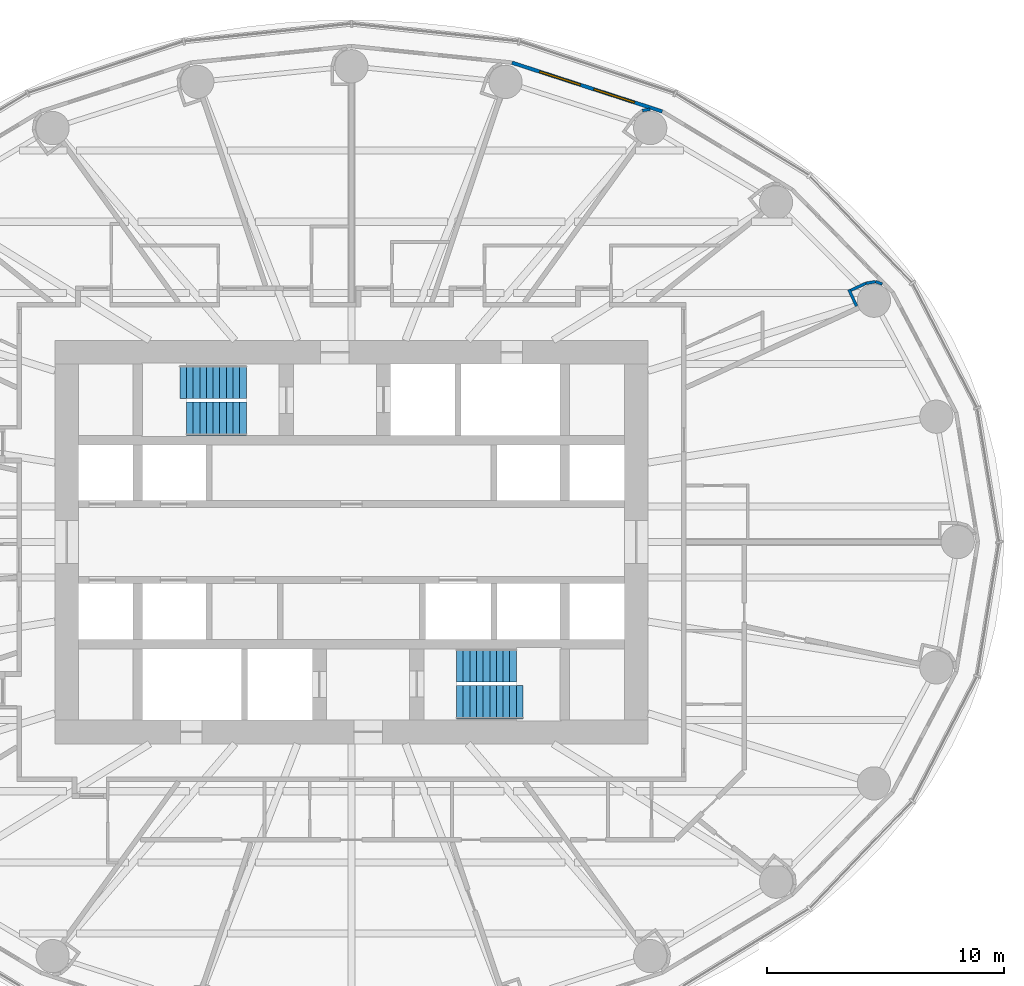
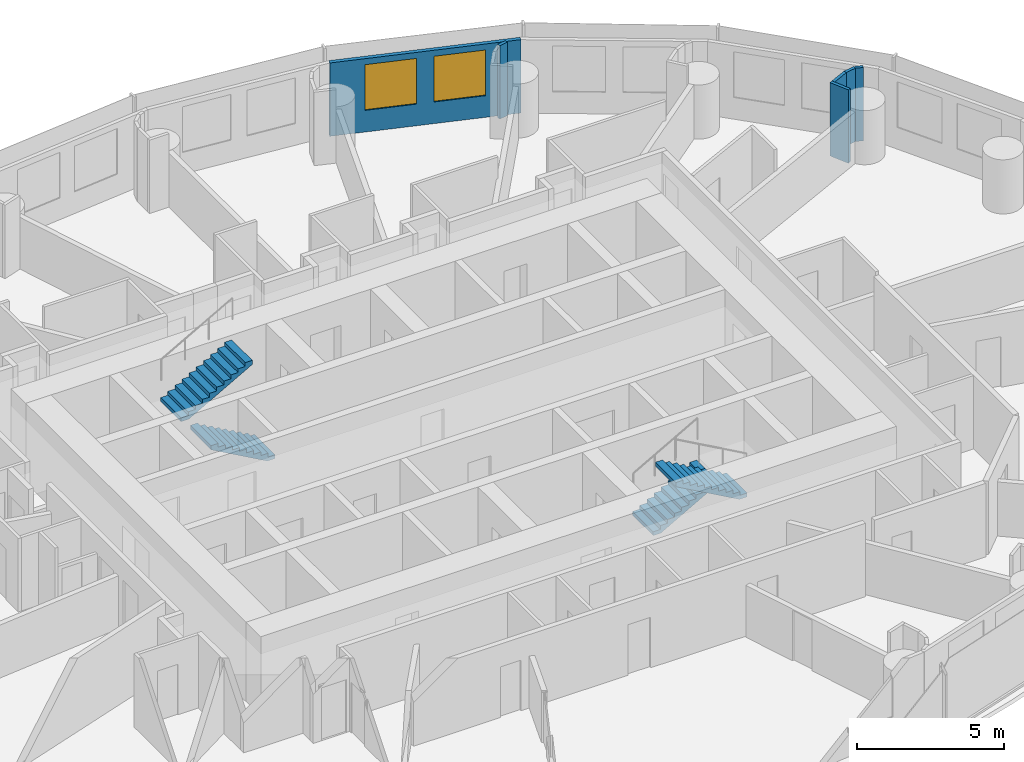
# One storey, part 13 of 14: 6 walls, 4 stair flights, 2 windows, 2 openings, 2 elements without a shape of their own.
"""IFC4 building model written with IfcOpenShell, lengths in metres."""

from ifc_helpers import new_model, si_unit, direction, frame, frame_2d, origin, place, context, subcontext, project, spatial, polyline, rectangle, outline, extrude, material, layer, layer_set, type_object, element, fill, aggregate, save


model = new_model("IFC4")

# Units and contexts
model_context = context("Model", 3, precision=1e-05, world=origin(), true_north=direction((0.0, 1.0)))
body_context = subcontext(model_context, "Body", "Model", "MODEL_VIEW")
ifc_project = project(units=[si_unit("LENGTHUNIT", "METRE"), si_unit("AREAUNIT", "SQUARE_METRE"), si_unit("VOLUMEUNIT", "CUBIC_METRE"), si_unit("PLANEANGLEUNIT", "RADIAN"), si_unit("MASSUNIT", "GRAM", prefix="KILO")], contexts=[model_context])

# Site, building, storey
site_placement = place(None, origin())
site = spatial("IfcSite", under=ifc_project, at=site_placement, CompositionType="ELEMENT")
building_placement = place(site_placement, origin())
building = spatial("IfcBuilding", under=site, at=building_placement, Name="Hankou Lantern Tower", CompositionType="ELEMENT")
storey_placement = place(building_placement, frame((0.0, 0.0, 90.300048828125)))
storey = spatial("IfcBuildingStorey", under=building, at=storey_placement, Name="L23", CompositionType="ELEMENT", Elevation=90.300048828125)

# Wall, openings, windows
ifc_material_1 = material(Name="Aluminium spandrel panel on steel studs", Category="steel")
ifc_layer_1 = layer(ifc_material_1, 0.14990234375)
ifc_layer_set_1 = layer_set([ifc_layer_1], Name="Aluminium spandrel panel on steel studs")
wall_type_1 = type_object("IfcWallType", Name="EW1 INNER SKIN WALL 150", PredefinedType="ELEMENTEDWALL", material=ifc_layer_set_1)
wall_1_placement = place(storey_placement, frame((13.096435546875, 18.14697265625, 0.0), z_axis=(0.0, 0.0, 1.0), x_axis=(-0.951137534625, 0.308767534285, 0.0)))
wall_1 = element("IfcWall", 1, at=wall_1_placement, inside=storey, type_object=wall_type_1, Name="Inner skin R05-R06 L23", PredefinedType="ELEMENTEDWALL", context=body_context, shape_type="SweptSolid", body=[
    extrude(rectangle(XDim=6.6552734375, YDim=0.14990234375, at=frame_2d((3.32763671875, 0.0))), origin(), (0.0, 0.0, 1.0), 3.050048828125),
])
opening_1_placement = place(wall_1_placement, frame((1.2275390625, 0.0, 0.89990234375)))
opening_1 = element("IfcOpeningElement", 2, at=opening_1_placement, cuts=wall_1, Name="Opening W1", PredefinedType="OPENING", context=body_context, shape_type="SweptSolid", body=[
    extrude(rectangle(XDim=1.800048828125, YDim=1.89990234375, at=frame_2d((0.89990234375, 0.949951171875))), frame((0.0, 0.0849609375, 0.0), z_axis=(0.0, -1.0, 0.0), x_axis=(1.0, 0.0, 0.0)), (0.0, 0.0, 1.0), 0.169921875),
])
opening_2_placement = place(wall_1_placement, frame((3.627685546875, 0.0, 0.89990234375)))
opening_2 = element("IfcOpeningElement", 3, at=opening_2_placement, cuts=wall_1, Name="Opening W1", PredefinedType="OPENING", context=body_context, shape_type="SweptSolid", body=[
    extrude(rectangle(XDim=1.800048828125, YDim=1.89990234375, at=frame_2d((0.89990234375, 0.949951171875))), frame((0.0, 0.0849609375, 0.0), z_axis=(0.0, -1.0, 0.0), x_axis=(1.0, 0.0, 0.0)), (0.0, 0.0, 1.0), 0.169921875),
])
ifc_material_2 = material(Name="Aluminium framed double glazed window", Category="aluminium")
window_type = type_object("IfcWindowType", Name="W1 GUEST ROOM WINDOW 1800X1900", PartitioningType="DOUBLE_PANEL_VERTICAL", PredefinedType="WINDOW", material=ifc_material_2)
window_1_placement = place(opening_1_placement, origin())
window_1 = element("IfcWindow", 4, at=window_1_placement, inside=storey, type_object=window_type, Name="Window R05.1 L23", OverallHeight=1.89990234375, OverallWidth=1.800048828125, PartitioningType="SINGLE_PANEL", PredefinedType="WINDOW", context=body_context, shape_type="SweptSolid", body=[
    extrude(rectangle(XDim=1.800048828125, YDim=1.89990234375, at=frame_2d((0.89990234375, 0.949951171875))), frame((0.0, 0.030029296875, 0.0), z_axis=(0.0, -1.0, 0.0), x_axis=(1.0, 0.0, 0.0)), (0.0, 0.0, 1.0), 0.06005859375),
])
fill(opening_1, window_1)
window_2_placement = place(opening_2_placement, origin())
window_2 = element("IfcWindow", 5, at=window_2_placement, inside=storey, type_object=window_type, Name="Window R05.2 L23", OverallHeight=1.89990234375, OverallWidth=1.800048828125, PartitioningType="SINGLE_PANEL", PredefinedType="WINDOW", context=body_context, shape_type="SweptSolid", body=[
    extrude(rectangle(XDim=1.800048828125, YDim=1.89990234375, at=frame_2d((0.89990234375, 0.949951171875))), frame((0.0, 0.030029296875, 0.0), z_axis=(0.0, -1.0, 0.0), x_axis=(1.0, 0.0, 0.0)), (0.0, 0.0, 1.0), 0.06005859375),
])
fill(opening_2, window_2)

# Walls
ifc_material_3 = material(Name="Masonry lightweight concrete block", Category="masonry")
ifc_layer_2 = layer(ifc_material_3, 0.1201171875)
ifc_layer_set_2 = layer_set([ifc_layer_2], Name="Masonry lightweight concrete block")
wall_type_2 = type_object("IfcWallType", Name="IW4 PARTITION 120", PredefinedType="PARTITIONING", material=ifc_layer_set_2)
wall_2_placement = place(storey_placement, frame((21.287109375, 9.9423828125, 0.0), z_axis=(0.0, 0.0, 1.0), x_axis=(-0.419259891039, 0.907866258744, 0.0)))
element("IfcWall", 6, at=wall_2_placement, inside=storey, type_object=wall_type_2, Name="Column casing R03 return", PredefinedType="PARTITIONING", context=body_context, shape_type="SweptSolid", body=[
    extrude(rectangle(XDim=0.767578125, YDim=0.1201171875, at=frame_2d((0.3837890625, 0.0))), origin(), (0.0, 0.0, 1.0), 3.050048828125),
])
wall_3_placement = place(storey_placement, frame((21.044921875, 10.60986328125, 0.0), z_axis=(0.0, 0.0, 1.0), x_axis=(0.907877701396, 0.419235112208, 0.0)))
element("IfcWall", 7, at=wall_3_placement, inside=storey, type_object=wall_type_2, Name="Column casing R03", PredefinedType="PARTITIONING", context=body_context, shape_type="SweptSolid", body=[
    extrude(rectangle(XDim=0.699951171875, YDim=0.1201171875, at=frame_2d((0.35009765625, 0.0))), origin(), (0.0, 0.0, 1.0), 3.050048828125),
])
wall_4_placement = place(storey_placement, frame((21.680419921875, 10.9033203125, 0.0), z_axis=(0.0, 0.0, 1.0), x_axis=(0.985446622073, 0.169985161247, 0.0)))
element("IfcWall", 8, at=wall_4_placement, inside=storey, type_object=wall_type_2, Name="Column casing R03", PredefinedType="PARTITIONING", context=body_context, shape_type="SweptSolid", body=[
    extrude(rectangle(XDim=0.41796875, YDim=0.1201171875, at=frame_2d((0.208984375, 0.0))), origin(), (0.0, 0.0, 1.0), 3.050048828125),
])
wall_5_placement = place(storey_placement, frame((22.09228515625, 10.974365234375, 0.0), z_axis=(0.0, 0.0, 1.0), x_axis=(0.938428160676, -0.345474437912, 0.0)))
element("IfcWall", 9, at=wall_5_placement, inside=storey, type_object=wall_type_2, Name="Column casing R03", PredefinedType="PARTITIONING", context=body_context, shape_type="SweptSolid", body=[
    extrude(rectangle(XDim=0.2939453125, YDim=0.1201171875, at=frame_2d((0.14697265625, 0.0))), origin(), (0.0, 0.0, 1.0), 3.050048828125),
])
wall_6_placement = place(storey_placement, frame((12.260009765625, 18.18310546875, 0.0), z_axis=(0.0, 0.0, 1.0), x_axis=(0.987218661664, 0.159371622511, 0.0)))
element("IfcWall", 10, at=wall_6_placement, inside=storey, type_object=wall_type_2, Name="Column casing R05", PredefinedType="PARTITIONING", context=body_context, shape_type="SweptSolid", body=[
    extrude(rectangle(XDim=0.330810546875, YDim=0.1201171875, at=frame_2d((0.16552734375, 0.0))), origin(), (0.0, 0.0, 1.0), 3.050048828125),
])

# Stair, stair flight
ifc_material_4 = material(Name="Concrete C40", Category="concrete")
stair_type = type_object("IfcStairType", Name="ST33 CORE STAIR 3300 RISE", PredefinedType="HALF_TURN_STAIR", material=ifc_material_4)
stair_1_placement = place(storey_placement, origin())
stair_1 = element("IfcStair", 11, at=stair_1_placement, inside=storey, type_object=stair_type, Name="Stair STA L23", PredefinedType="HALF_TURN_STAIR")
ifc_material_5 = material(Name="Concrete C40", Category="concrete")
stair_flight_type_1 = type_object("IfcStairFlightType", Name="CF10 CORE STAIR FLIGHT 1400 X 10 RISERS", PredefinedType="STRAIGHT", material=ifc_material_5)
stair_flight_1_placement = place(storey_placement, frame((-4.429931640625, 5.199951171875, 0.0), z_axis=(0.0, 0.0, 1.0), x_axis=(-1.0, 0.0, 0.0)))
stair_flight_1 = element("IfcStairFlight", 12, at=stair_flight_1_placement, type_object=stair_flight_type_1, Name="STA flight 1", NumberOfRisers=10, NumberOfTreads=9, PredefinedType="STRAIGHT", RiserHeight=0.157142857, TreadLength=0.28, context=body_context, shape_type="SweptSolid", body=[
    extrude(outline(polyline([(0.0, 0.0), (0.0, 0.1572265625), (0.280029296875, 0.1572265625), (0.280029296875, 0.314208984375), (0.56005859375, 0.314208984375), (0.56005859375, 0.471435546875), (0.840087890625, 0.471435546875), (0.840087890625, 0.628662109375), (1.1201171875, 0.628662109375), (1.1201171875, 0.78564453125), (1.39990234375, 0.78564453125), (1.39990234375, 0.94287109375), (1.679931640625, 0.94287109375), (1.679931640625, 1.10009765625), (1.9599609375, 1.10009765625), (1.9599609375, 1.257080078125), (2.239990234375, 1.257080078125), (2.239990234375, 1.414306640625), (2.52001953125, 1.414306640625), (2.52001953125, 1.571533203125), (2.52001953125, 1.242431640625), (0.306396484375, 0.0), (0.0, 0.0)])), frame((0.0, 0.699951171875, 0.0), z_axis=(0.0, -1.0, 0.0), x_axis=(1.0, 0.0, 0.0)), (0.0, 0.0, 1.0), 1.39990234375),
])

stair_2_placement = place(storey_placement, origin())
stair_2 = element("IfcStair", 13, at=stair_2_placement, inside=storey, type_object=stair_type, Name="Stair STB L23", PredefinedType="HALF_TURN_STAIR")
stair_flight_2_placement = place(storey_placement, frame((4.429931640625, -5.199951171875, 0.0), z_axis=(0.0, 0.0, 1.0), x_axis=(1.0, 0.0, 0.0)))
stair_flight_2 = element("IfcStairFlight", 14, at=stair_flight_2_placement, type_object=stair_flight_type_1, Name="STB flight 1", NumberOfRisers=10, NumberOfTreads=9, PredefinedType="STRAIGHT", RiserHeight=0.157142857, TreadLength=0.28, context=body_context, shape_type="SweptSolid", body=[
    extrude(outline(polyline([(0.0, 0.0), (0.0, 0.1572265625), (0.280029296875, 0.1572265625), (0.280029296875, 0.314208984375), (0.56005859375, 0.314208984375), (0.56005859375, 0.471435546875), (0.840087890625, 0.471435546875), (0.840087890625, 0.628662109375), (1.1201171875, 0.628662109375), (1.1201171875, 0.78564453125), (1.39990234375, 0.78564453125), (1.39990234375, 0.94287109375), (1.679931640625, 0.94287109375), (1.679931640625, 1.10009765625), (1.9599609375, 1.10009765625), (1.9599609375, 1.257080078125), (2.239990234375, 1.257080078125), (2.239990234375, 1.414306640625), (2.52001953125, 1.414306640625), (2.52001953125, 1.571533203125), (2.52001953125, 1.242431640625), (0.306396484375, 0.0), (0.0, 0.0)])), frame((0.0, 0.699951171875, 0.0), z_axis=(0.0, -1.0, 0.0), x_axis=(1.0, 0.0, 0.0)), (0.0, 0.0, 1.0), 1.39990234375),
])

# Stair flight
ifc_material_6 = material(Name="Concrete C40", Category="concrete")
stair_flight_type_2 = type_object("IfcStairFlightType", Name="CF11 CORE STAIR FLIGHT 1400 X 11 RISERS", PredefinedType="STRAIGHT", material=ifc_material_6)
stair_flight_3_placement = place(storey_placement, frame((-7.22998046875, 6.75, 1.5712890625), z_axis=(0.0, 0.0, 1.0), x_axis=(1.0, 0.0, 0.0)))
stair_flight_3 = element("IfcStairFlight", 15, at=stair_flight_3_placement, type_object=stair_flight_type_2, Name="STA flight 2", NumberOfRisers=11, NumberOfTreads=10, PredefinedType="STRAIGHT", RiserHeight=0.157142857, TreadLength=0.28, context=body_context, shape_type="SweptSolid", body=[
    extrude(outline(polyline([(0.0, 0.0), (0.0, 0.1572265625), (0.280029296875, 0.1572265625), (0.280029296875, 0.314208984375), (0.56005859375, 0.314208984375), (0.56005859375, 0.471435546875), (0.840087890625, 0.471435546875), (0.840087890625, 0.628662109375), (1.1201171875, 0.628662109375), (1.1201171875, 0.78564453125), (1.39990234375, 0.78564453125), (1.39990234375, 0.94287109375), (1.679931640625, 0.94287109375), (1.679931640625, 1.10009765625), (1.9599609375, 1.10009765625), (1.9599609375, 1.257080078125), (2.239990234375, 1.257080078125), (2.239990234375, 1.414306640625), (2.52001953125, 1.414306640625), (2.52001953125, 1.571533203125), (2.800048828125, 1.571533203125), (2.800048828125, 1.728515625), (2.800048828125, 1.3994140625), (0.306396484375, 0.0), (0.0, 0.0)])), frame((0.0, 0.699951171875, 0.0), z_axis=(0.0, -1.0, 0.0), x_axis=(1.0, 0.0, 0.0)), (0.0, 0.0, 1.0), 1.39990234375),
])

aggregate(stair_1, [stair_flight_1, stair_flight_3])

stair_flight_4_placement = place(storey_placement, frame((7.22998046875, -6.75, 1.5712890625), z_axis=(0.0, 0.0, 1.0), x_axis=(-1.0, 0.0, 0.0)))
stair_flight_4 = element("IfcStairFlight", 16, at=stair_flight_4_placement, type_object=stair_flight_type_2, Name="STB flight 2", NumberOfRisers=11, NumberOfTreads=10, PredefinedType="STRAIGHT", RiserHeight=0.157142857, TreadLength=0.28, context=body_context, shape_type="SweptSolid", body=[
    extrude(outline(polyline([(0.0, 0.0), (0.0, 0.1572265625), (0.280029296875, 0.1572265625), (0.280029296875, 0.314208984375), (0.56005859375, 0.314208984375), (0.56005859375, 0.471435546875), (0.840087890625, 0.471435546875), (0.840087890625, 0.628662109375), (1.1201171875, 0.628662109375), (1.1201171875, 0.78564453125), (1.39990234375, 0.78564453125), (1.39990234375, 0.94287109375), (1.679931640625, 0.94287109375), (1.679931640625, 1.10009765625), (1.9599609375, 1.10009765625), (1.9599609375, 1.257080078125), (2.239990234375, 1.257080078125), (2.239990234375, 1.414306640625), (2.52001953125, 1.414306640625), (2.52001953125, 1.571533203125), (2.800048828125, 1.571533203125), (2.800048828125, 1.728515625), (2.800048828125, 1.3994140625), (0.306396484375, 0.0), (0.0, 0.0)])), frame((0.0, 0.699951171875, 0.0), z_axis=(0.0, -1.0, 0.0), x_axis=(1.0, 0.0, 0.0)), (0.0, 0.0, 1.0), 1.39990234375),
])

aggregate(stair_2, [stair_flight_2, stair_flight_4])

save(model, "model.ifc")
